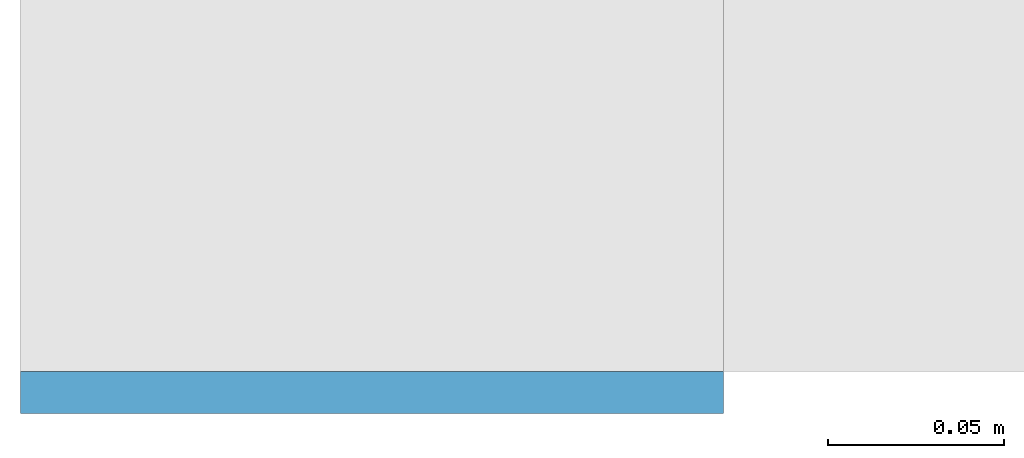
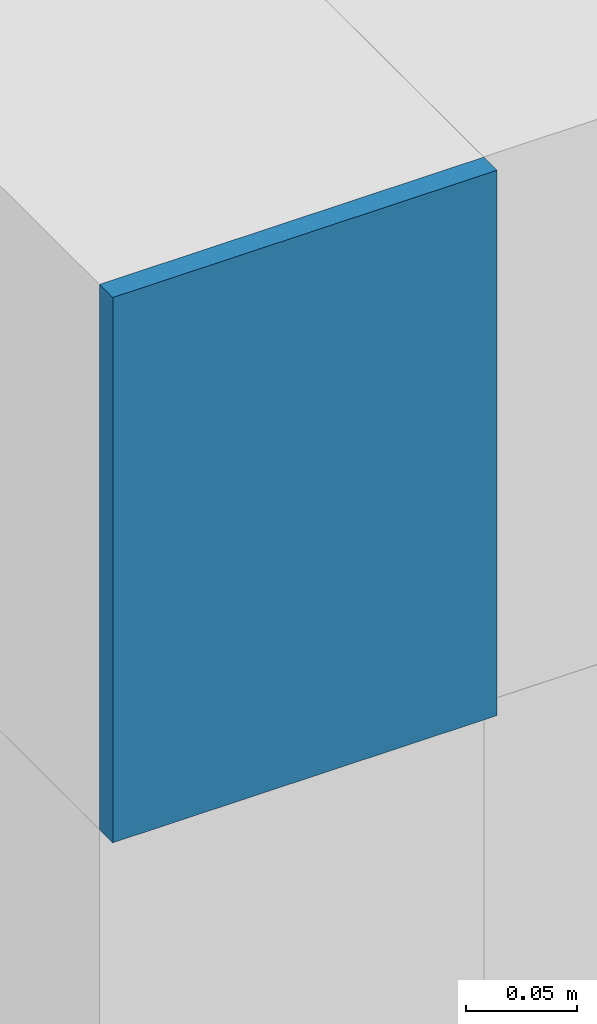
# One storey, part 175 of 646: 1 discrete accessory.
"""IFC4 building model written with IfcOpenShell, lengths in metres."""

from ifc_helpers import new_model, si_unit, direction, frame, origin, origin_2d, place, context, subcontext, project, spatial, rectangle, extrude, material, layer, layer_set, type_object, element, save


model = new_model("IFC4")

# Units and contexts
model_context = context("Model", 3, precision=1e-05, world=origin(), true_north=direction((0.0, 1.0)))
body_context = subcontext(model_context, "Body", "Model", "MODEL_VIEW")
ifc_project = project(units=[si_unit("LENGTHUNIT", "METRE"), si_unit("AREAUNIT", "SQUARE_METRE"), si_unit("VOLUMEUNIT", "CUBIC_METRE"), si_unit("PLANEANGLEUNIT", "RADIAN"), si_unit("MASSUNIT", "GRAM", prefix="KILO")], contexts=[model_context])

# Site, building, storey
site_placement = place(None, origin())
site = spatial("IfcSite", under=ifc_project, at=site_placement, CompositionType="ELEMENT")
building_placement = place(site_placement, origin())
building = spatial("IfcBuilding", under=site, at=building_placement, Name="Silverbay Arena", CompositionType="ELEMENT")
storey_placement = place(building_placement, frame((0.0, 0.0, 33.5)))
storey = spatial("IfcBuildingStorey", under=building, at=storey_placement, Name="L05", CompositionType="ELEMENT", Elevation=33.5)

# Discrete accessory
ifc_material = material(Name="Steel S355", Category="steel")
ifc_layer = layer(ifc_material, 0.011962890625)
ifc_layer_set = layer_set([ifc_layer], Name="Steel S355")
discrete_accessory_type = type_object("IfcDiscreteAccessoryType", Name="Purlin end plate 12", PredefinedType="USERDEFINED", material=ifc_layer_set)
discrete_accessory_placement = place(storey_placement, frame((49.5, 8.89990234375, 13.14990234375), z_axis=(0.0, -1.0, 0.0), x_axis=(1.0, 0.0, 0.0)))
element("IfcDiscreteAccessory", 1, at=discrete_accessory_placement, inside=storey, type_object=discrete_accessory_type, Name="Purlin end plate", ObjectType="END PLATE", PredefinedType="USERDEFINED", context=body_context, shape_type="SweptSolid", body=[
    extrude(rectangle(XDim=0.199951171875, YDim=0.300048828125, at=origin_2d()), origin(), (0.0, 0.0, 1.0), 0.011962890625),
])

save(model, "model.ifc")
